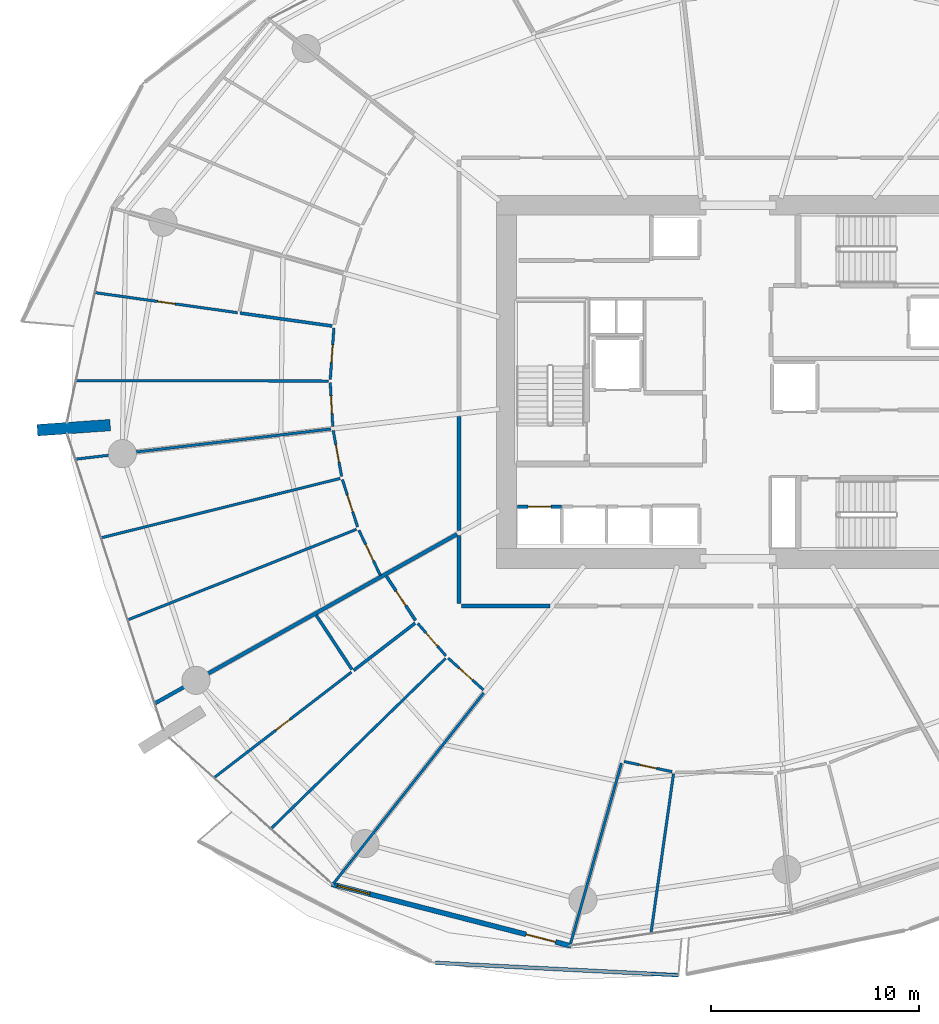
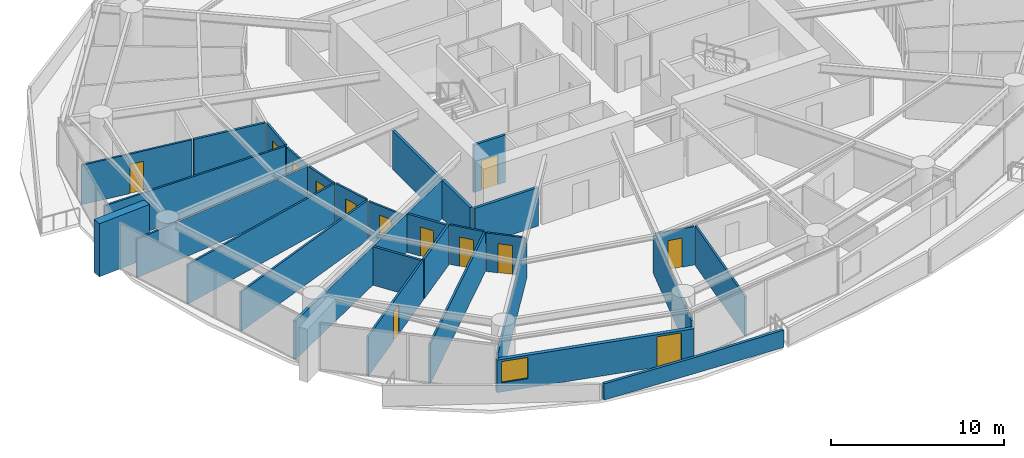
# One storey, part 19 of 31: 30 walls, 13 doors, 1 window, 14 openings.
"""IFC4 building model written with IfcOpenShell, lengths in metres."""

from ifc_helpers import new_model, si_unit, direction, frame, frame_2d, origin, place, context, subcontext, project, spatial, polyline, rectangle, outline, extrude, material, layer, layer_set, type_object, element, fill, save


model = new_model("IFC4")

# Units and contexts
model_context = context("Model", 3, precision=1e-05, world=origin(), true_north=direction((0.0, 1.0)))
body_context = subcontext(model_context, "Body", "Model", "MODEL_VIEW")
ifc_project = project(units=[si_unit("LENGTHUNIT", "METRE"), si_unit("AREAUNIT", "SQUARE_METRE"), si_unit("VOLUMEUNIT", "CUBIC_METRE"), si_unit("PLANEANGLEUNIT", "RADIAN"), si_unit("MASSUNIT", "GRAM", prefix="KILO")], contexts=[model_context])

# Site, building, storey
site_placement = place(None, origin())
site = spatial("IfcSite", under=ifc_project, at=site_placement, CompositionType="ELEMENT")
building_placement = place(site_placement, origin())
building = spatial("IfcBuilding", under=site, at=building_placement, Name="Kazma Halo Residences", CompositionType="ELEMENT")
storey_placement = place(building_placement, frame((0.0, 0.0, 67.64990234375)))
storey = spatial("IfcBuildingStorey", under=building, at=storey_placement, Name="L16", CompositionType="ELEMENT", Elevation=67.64990234375)

# Walls
ifc_material_1 = material(Name="White Concrete C50/60 Balustrade", Category="concrete")
ifc_layer_1 = layer(ifc_material_1, 0.179931640625)
ifc_layer_set_1 = layer_set([ifc_layer_1], Name="White Concrete C50/60 Balustrade")
wall_type_1 = type_object("IfcWallType", Name="WL-BAL-WAVE-180", PredefinedType="PARAPET", material=ifc_layer_set_1)
wall_1_placement = place(storey_placement, frame((33.923583984375, 14.132568359375, 0.0), z_axis=(0.0, 0.0, 1.0), x_axis=(0.998712715241, -0.050723884084, 0.0)))
element("IfcWall", 1, at=wall_1_placement, inside=storey, type_object=wall_type_1, Name="L16 white wave balustrade wall SW.2", PredefinedType="PARAPET", context=body_context, shape_type="SweptSolid", body=[
    extrude(outline(polyline([(0.0, 0.0), (11.6767578125, 0.0), (11.676513671875, 1.22412109375), (5.83837890625, 1.127197265625), (0.0, 1.148193359375), (0.0, 0.0)])), frame((0.0, 0.08984375, 0.0), z_axis=(0.0, -1.0, 0.0), x_axis=(1.0, 0.0, 0.0)), (0.0, 0.0, 1.0), 0.179931640625),
])
ifc_material_2 = material(Name="Pale Concrete C60/75", Category="concrete")
ifc_layer_2 = layer(ifc_material_2, 0.550048828125)
ifc_layer_set_2 = layer_set([ifc_layer_2], Name="Pale Concrete C60/75")
wall_type_2 = type_object("IfcWallType", Name="WL-BLADE-550", PredefinedType="SOLIDWALL", material=ifc_layer_set_2)
wall_2_placement = place(storey_placement, frame((18.322021484375, 39.9248046875, 0.0), z_axis=(0.0, 0.0, 1.0), x_axis=(-0.997564163539, -0.069754853754, 0.0)))
element("IfcWall", 2, at=wall_2_placement, inside=storey, type_object=wall_type_2, Name="L16 pale concrete structural blade fin wall BW-02", PredefinedType="SOLIDWALL", context=body_context, shape_type="SweptSolid", body=[
    extrude(rectangle(XDim=3.5, YDim=0.550048828125, at=frame_2d((1.75, 0.0))), origin(), (0.0, 0.0, 1.0), 3.75),
])
ifc_material_3 = material(Name="Acoustic Twin-Stud Gypsum")
ifc_layer_3 = layer(ifc_material_3, 0.179931640625)
ifc_layer_set_3 = layer_set([ifc_layer_3], Name="Acoustic Twin-Stud Gypsum")
wall_type_3 = type_object("IfcWallType", Name="WL-DEM-180", PredefinedType="PARTITIONING", material=ifc_layer_set_3)
wall_3_placement = place(storey_placement, frame((34.9541015625, 34.694091796875, 0.0), z_axis=(0.0, 0.0, 1.0), x_axis=(-0.872493465611, -0.488625779577, 0.0)))
element("IfcWall", 3, at=wall_3_placement, inside=storey, type_object=wall_type_3, Name="L16 apartment demising radial wall 08", PredefinedType="PARTITIONING", context=body_context, shape_type="SweptSolid", body=[
    extrude(rectangle(XDim=16.586181640625, YDim=0.179931640625, at=frame_2d((8.29296875, 0.0))), origin(), (0.0, 0.0, 1.0), 2.717041015625),
])
wall_4_placement = place(storey_placement, frame((35.050048828125, 40.347412109375, 0.0), z_axis=(0.0, 0.0, 1.0), x_axis=(0.0, -1.0, 0.0)))
element("IfcWall", 4, at=wall_4_placement, inside=storey, type_object=wall_type_3, Name="L16 Apartment 1 inner wall 7", PredefinedType="PARTITIONING", context=body_context, shape_type="SweptSolid", body=[
    extrude(rectangle(XDim=5.479736328125, YDim=0.179931640625, at=frame_2d((2.73974609375, 0.0))), origin(), (0.0, 0.0, 1.0), 2.717041015625),
])
wall_5_placement = place(storey_placement, frame((35.050048828125, 34.627685546875, 0.0), z_axis=(0.0, 0.0, 1.0), x_axis=(0.0, -1.0, 0.0)))
element("IfcWall", 5, at=wall_5_placement, inside=storey, type_object=wall_type_3, Name="L16 Apartment 2 inner wall 8", PredefinedType="PARTITIONING", context=body_context, shape_type="SweptSolid", body=[
    extrude(rectangle(XDim=3.257568359375, YDim=0.179931640625, at=frame_2d((1.62890625, 0.0))), origin(), (0.0, 0.0, 1.0), 2.717041015625),
])
wall_6_placement = place(storey_placement, frame((35.169921875, 31.25, 0.0), z_axis=(0.0, 0.0, 1.0), x_axis=(1.0, 0.0, 0.0)))
element("IfcWall", 6, at=wall_6_placement, inside=storey, type_object=wall_type_3, Name="L16 Apartment 2 inner wall 8", PredefinedType="PARTITIONING", context=body_context, shape_type="SweptSolid", body=[
    extrude(rectangle(XDim=4.235595703125, YDim=0.179931640625, at=frame_2d((2.11767578125, 0.0))), origin(), (0.0, 0.0, 1.0), 2.717041015625),
])

# Wall, openings, door, window
ifc_material_4 = material(Name="Insulated Pale-Metal Composite Wall")
ifc_layer_4 = layer(ifc_material_4, 0.239990234375)
ifc_layer_set_4 = layer_set([ifc_layer_4], Name="Insulated Pale-Metal Composite Wall")
wall_type_4 = type_object("IfcWallType", Name="WL-EXT-HOST-240", PredefinedType="SOLIDWALL", material=ifc_layer_set_4)
wall_7_placement = place(storey_placement, frame((28.94580078125, 17.90380859375, 0.0), z_axis=(0.0, 0.0, 1.0), x_axis=(0.96833871487, -0.249640007378, 0.0)))
wall_7 = element("IfcWall", 7, at=wall_7_placement, inside=storey, type_object=wall_type_4, Name="L16 exterior terrace-access wall B10", PredefinedType="SOLIDWALL", context=body_context, shape_type="SweptSolid", body=[
    extrude(rectangle(XDim=11.85107421875, YDim=0.239990234375, at=frame_2d((5.925537109375, 0.0))), origin(), (0.0, 0.0, 1.0), 2.300048828125),
])
opening_1_placement = place(wall_7_placement, frame((9.631103515625, 0.0, 0.0)))
opening_1 = element("IfcOpeningElement", 8, at=opening_1_placement, cuts=wall_7, Name="Opening DTR-1600", PredefinedType="OPENING", context=body_context, shape_type="SweptSolid", body=[
    extrude(rectangle(XDim=1.449951171875, YDim=2.14990234375, at=frame_2d((0.72509765625, 1.074951171875))), frame((0.0, 0.1298828125, 0.0), z_axis=(0.0, -1.0, 0.0), x_axis=(1.0, 0.0, 0.0)), (0.0, 0.0, 1.0), 0.260009765625),
])
opening_2_placement = place(wall_7_placement, frame((0.280029296875, 0.0, 0.64990234375)))
opening_2 = element("IfcOpeningElement", 9, at=opening_2_placement, cuts=wall_7, Name="Opening W-1800", PredefinedType="OPENING", context=body_context, shape_type="SweptSolid", body=[
    extrude(rectangle(XDim=1.60009765625, YDim=1.5, at=frame_2d((0.800048828125, 0.75))), frame((0.0, 0.1298828125, 0.0), z_axis=(0.0, -1.0, 0.0), x_axis=(1.0, 0.0, 0.0)), (0.0, 0.0, 1.0), 0.260009765625),
])
ifc_material_5 = material(Name="Aluminium AW-6063 T6 Double-Glazed Terrace Door", Category="aluminium")
door_type_1 = type_object("IfcDoorType", Name="DR-EXT-TERR-1600", OperationType="NOTDEFINED", PredefinedType="DOOR", material=ifc_material_5)
door_1_placement = place(opening_1_placement, origin())
door_1 = element("IfcDoor", 10, at=door_1_placement, inside=storey, type_object=door_type_1, Name="L16 B10 balcony terrace door", OperationType="DOUBLE_DOOR_SLIDING", OverallHeight=2.14990234375, OverallWidth=1.449951171875, PredefinedType="DOOR", context=body_context, shape_type="SweptSolid", body=[
    extrude(rectangle(XDim=1.449951171875, YDim=2.14990234375, at=frame_2d((0.72509765625, 1.074951171875))), frame((0.0, 0.02490234375, 0.0), z_axis=(0.0, -1.0, 0.0), x_axis=(1.0, 0.0, 0.0)), (0.0, 0.0, 1.0), 0.050048828125),
])
fill(opening_1, door_1)
ifc_material_6 = material(Name="Clear Triple-Silver Low-E Glass in Aluminium AW-6063 T6 Frame", Category="aluminium")
window_type = type_object("IfcWindowType", Name="WIN-RES-1800", PartitioningType="DOUBLE_PANEL_VERTICAL", PredefinedType="WINDOW", material=ifc_material_6)
window_placement = place(opening_2_placement, origin())
window = element("IfcWindow", 11, at=window_placement, inside=storey, type_object=window_type, Name="L16 B10 apartment window", OverallHeight=1.5, OverallWidth=1.60009765625, PartitioningType="SINGLE_PANEL", PredefinedType="WINDOW", context=body_context, shape_type="SweptSolid", body=[
    extrude(rectangle(XDim=1.60009765625, YDim=1.5, at=frame_2d((0.800048828125, 0.75))), frame((0.0, 0.030029296875, 0.0), z_axis=(0.0, -1.0, 0.0), x_axis=(1.0, 0.0, 0.0)), (0.0, 0.0, 1.0), 0.06005859375),
])
fill(opening_2, window)

# Wall, opening, door
ifc_material_7 = material(Name="Fire-Rated Blockwork Masonry", Category="masonry")
ifc_layer_5 = layer(ifc_material_7, 0.199951171875)
ifc_layer_set_5 = layer_set([ifc_layer_5], Name="Fire-Rated Blockwork Masonry")
wall_type_5 = type_object("IfcWallType", Name="WL-FLB-200", PredefinedType="PARTITIONING", material=ifc_layer_set_5)
wall_8_placement = place(storey_placement, frame((37.864990234375, 36.0048828125, 0.0), z_axis=(0.0, 0.0, 1.0), x_axis=(1.0, 0.0, 0.0)))
wall_8 = element("IfcWall", 12, at=wall_8_placement, inside=storey, type_object=wall_type_5, Name="L16 lift shaft PL-01 front wall", PredefinedType="PARTITIONING", context=body_context, shape_type="SweptSolid", body=[
    extrude(rectangle(XDim=2.110107421875, YDim=0.159912109375, at=frame_2d((1.05517578125, 0.0))), origin(), (0.0, 0.0, 1.0), 3.35009765625),
])
opening_3_placement = place(wall_8_placement, frame((0.5048828125, 0.0, 0.0)))
opening_3 = element("IfcOpeningElement", 13, at=opening_3_placement, cuts=wall_8, Name="Opening LD-PL-01", PredefinedType="OPENING", context=body_context, shape_type="SweptSolid", body=[
    extrude(rectangle(XDim=1.10009765625, YDim=2.10009765625, at=frame_2d((0.550048828125, 1.050048828125))), frame((0.0, 0.08984375, 0.0), z_axis=(0.0, -1.0, 0.0), x_axis=(1.0, 0.0, 0.0)), (0.0, 0.0, 1.0), 0.179931640625),
])
ifc_material_8 = material(Name="Stainless Steel Fire-Rated", Category="steel")
door_type_2 = type_object("IfcDoorType", Name="DR-LIFT-SLD-1100", OperationType="DOUBLE_DOOR_SLIDING", PredefinedType="DOOR", material=ifc_material_8)
door_2_placement = place(opening_3_placement, origin())
door_2 = element("IfcDoor", 14, at=door_2_placement, inside=storey, type_object=door_type_2, Name="L16 lift PL-01 sliding landing door", OperationType="DOUBLE_DOOR_SLIDING", OverallHeight=2.10009765625, OverallWidth=1.10009765625, PredefinedType="DOOR", context=body_context, shape_type="SweptSolid", body=[
    extrude(rectangle(XDim=1.10009765625, YDim=2.10009765625, at=frame_2d((0.550048828125, 1.050048828125))), frame((0.0, 0.02490234375, 0.0), z_axis=(0.0, -1.0, 0.0), x_axis=(1.0, 0.0, 0.0)), (0.0, 0.0, 1.0), 0.050048828125),
])
fill(opening_3, door_2)

ifc_material_9 = material(Name="Gypsum Plasterboard Partition")
ifc_layer_6 = layer(ifc_material_9, 0.125)
ifc_layer_set_6 = layer_set([ifc_layer_6], Name="Gypsum Plasterboard Partition")
wall_type_6 = type_object("IfcWallType", Name="WL-PART-125", PredefinedType="PARTITIONING", material=ifc_layer_set_6)
wall_9_placement = place(storey_placement, frame((24.42236328125, 45.31787109375, 0.0), z_axis=(0.0, 0.0, 1.0), x_axis=(-0.990243959665, 0.139344538274, 0.0)))
wall_9 = element("IfcWall", 15, at=wall_9_placement, inside=storey, type_object=wall_type_6, Name="L16 Apartment 1 Inner Walk-In Wardrobe partition wall", PredefinedType="PARTITIONING", context=body_context, shape_type="SweptSolid", body=[
    extrude(rectangle(XDim=6.88037109375, YDim=0.125, at=frame_2d((3.440185546875, 0.0))), origin(), (0.0, 0.0, 1.0), 2.7900390625),
])
opening_4_placement = place(wall_9_placement, frame((3.01513671875, 0.0, 0.0)))
opening_4 = element("IfcOpeningElement", 16, at=opening_4_placement, cuts=wall_9, Name="Opening DB-900", PredefinedType="OPENING", context=body_context, shape_type="SweptSolid", body=[
    extrude(rectangle(XDim=0.85009765625, YDim=2.06005859375, at=frame_2d((0.425048828125, 1.030029296875))), frame((0.0, 0.072509765625, 0.0), z_axis=(0.0, -1.0, 0.0), x_axis=(1.0, 0.0, 0.0)), (0.0, 0.0, 1.0), 0.14501953125),
])
ifc_material_10 = material(Name="Moisture-Sealed Timber Leaf", Category="wood")
door_type_3 = type_object("IfcDoorType", Name="DR-BTH-900", OperationType="NOTDEFINED", PredefinedType="DOOR", material=ifc_material_10)
door_3_placement = place(opening_4_placement, origin())
door_3 = element("IfcDoor", 17, at=door_3_placement, inside=storey, type_object=door_type_3, Name="L16 Apartment 1 Inner Walk-In Wardrobe door", OperationType="SINGLE_SWING_RIGHT", OverallHeight=2.06005859375, OverallWidth=0.85009765625, PredefinedType="DOOR", context=body_context, shape_type="SweptSolid", body=[
    extrude(rectangle(XDim=0.85009765625, YDim=2.06005859375, at=frame_2d((0.425048828125, 1.030029296875))), frame((0.0, 0.02490234375, 0.0), z_axis=(0.0, -1.0, 0.0), x_axis=(1.0, 0.0, 0.0)), (0.0, 0.0, 1.0), 0.050048828125),
])
fill(opening_4, door_3)

# Wall
wall_10_placement = place(storey_placement, frame((28.780029296875, 42.0380859375, 0.0), z_axis=(0.0, 0.0, 1.0), x_axis=(-0.999998036955, 0.001981435282, 0.0)))
element("IfcWall", 18, at=wall_10_placement, inside=storey, type_object=wall_type_6, Name="L16 Apartment 1 suite divider 6", PredefinedType="PARTITIONING", context=body_context, shape_type="SweptSolid", body=[
    extrude(rectangle(XDim=12.074951171875, YDim=0.125, at=frame_2d((6.03759765625, 0.0))), origin(), (0.0, 0.0, 1.0), 2.7900390625),
])

# Wall, opening, door
wall_11_placement = place(storey_placement, frame((29.05029296875, 44.575927734375, 0.0), z_axis=(0.0, 0.0, 1.0), x_axis=(-0.070831673661, -0.997488282641, 0.0)))
wall_11 = element("IfcWall", 19, at=wall_11_placement, inside=storey, type_object=wall_type_6, Name="L16 Apartment 1 Outer Formal Dining Room hall wall", PredefinedType="PARTITIONING", context=body_context, shape_type="SweptSolid", body=[
    extrude(rectangle(XDim=2.46435546875, YDim=0.125, at=frame_2d((1.232177734375, 0.0))), origin(), (0.0, 0.0, 1.0), 2.7900390625),
])
opening_5_placement = place(wall_11_placement, frame((0.80712890625, 0.0, 0.0)))
opening_5 = element("IfcOpeningElement", 20, at=opening_5_placement, cuts=wall_11, Name="Opening DB-900", PredefinedType="OPENING", context=body_context, shape_type="SweptSolid", body=[
    extrude(rectangle(XDim=0.85009765625, YDim=2.06005859375, at=frame_2d((0.425048828125, 1.030029296875))), frame((0.0, 0.072509765625, 0.0), z_axis=(0.0, -1.0, 0.0), x_axis=(1.0, 0.0, 0.0)), (0.0, 0.0, 1.0), 0.14501953125),
])
door_4_placement = place(opening_5_placement, origin())
door_4 = element("IfcDoor", 21, at=door_4_placement, inside=storey, type_object=door_type_3, Name="L16 Apartment 1 Outer Formal Dining Room door", OperationType="SINGLE_SWING_LEFT", OverallHeight=2.06005859375, OverallWidth=0.85009765625, PredefinedType="DOOR", context=body_context, shape_type="SweptSolid", body=[
    extrude(rectangle(XDim=0.85009765625, YDim=2.06005859375, at=frame_2d((0.425048828125, 1.030029296875))), frame((0.0, 0.02490234375, 0.0), z_axis=(0.0, -1.0, 0.0), x_axis=(1.0, 0.0, 0.0)), (0.0, 0.0, 1.0), 0.050048828125),
])
fill(opening_5, door_4)

wall_12_placement = place(storey_placement, frame((28.87451171875, 41.9580078125, 0.0), z_axis=(0.0, 0.0, 1.0), x_axis=(0.057962417622, -0.998318765797, 0.0)))
wall_12 = element("IfcWall", 22, at=wall_12_placement, inside=storey, type_object=wall_type_6, Name="L16 Apartment 1 Corner Master Bedroom hall wall", PredefinedType="PARTITIONING", context=body_context, shape_type="SweptSolid", body=[
    extrude(rectangle(XDim=2.1103515625, YDim=0.125, at=frame_2d((1.05517578125, 0.0))), origin(), (0.0, 0.0, 1.0), 2.717041015625),
])
opening_6_placement = place(wall_12_placement, frame((0.630126953125, 0.0, 0.0)))
opening_6 = element("IfcOpeningElement", 23, at=opening_6_placement, cuts=wall_12, Name="Opening DB-900", PredefinedType="OPENING", context=body_context, shape_type="SweptSolid", body=[
    extrude(rectangle(XDim=0.85009765625, YDim=2.06005859375, at=frame_2d((0.425048828125, 1.030029296875))), frame((0.0, 0.072509765625, 0.0), z_axis=(0.0, -1.0, 0.0), x_axis=(1.0, 0.0, 0.0)), (0.0, 0.0, 1.0), 0.14501953125),
])
door_5_placement = place(opening_6_placement, origin())
door_5 = element("IfcDoor", 24, at=door_5_placement, inside=storey, type_object=door_type_3, Name="L16 Apartment 1 Corner Master Bedroom door", OperationType="SINGLE_SWING_RIGHT", OverallHeight=2.06005859375, OverallWidth=0.85009765625, PredefinedType="DOOR", context=body_context, shape_type="SweptSolid", body=[
    extrude(rectangle(XDim=0.85009765625, YDim=2.06005859375, at=frame_2d((0.425048828125, 1.030029296875))), frame((0.0, 0.02490234375, 0.0), z_axis=(0.0, -1.0, 0.0), x_axis=(1.0, 0.0, 0.0)), (0.0, 0.0, 1.0), 0.050048828125),
])
fill(opening_6, door_5)

# Walls
wall_13_placement = place(storey_placement, frame((28.9033203125, 39.73974609375, 0.0), z_axis=(0.0, 0.0, 1.0), x_axis=(-0.993068040113, -0.117540919282, 0.0)))
element("IfcWall", 25, at=wall_13_placement, inside=storey, type_object=wall_type_6, Name="L16 Apartment 1 radial partition 7", PredefinedType="PARTITIONING", context=body_context, shape_type="SweptSolid", body=[
    extrude(rectangle(XDim=12.30859375, YDim=0.125, at=frame_2d((6.154296875, 0.0))), origin(), (0.0, 0.0, 1.0), 2.717041015625),
])
wall_14_placement = place(storey_placement, frame((29.346923828125, 37.366455078125, 0.0), z_axis=(0.0, 0.0, 1.0), x_axis=(-0.970510462135, -0.241059002917, 0.0)))
element("IfcWall", 26, at=wall_14_placement, inside=storey, type_object=wall_type_6, Name="L16 Apartment 1 bay wall 1 7", PredefinedType="PARTITIONING", context=body_context, shape_type="SweptSolid", body=[
    extrude(rectangle(XDim=11.789794921875, YDim=0.125, at=frame_2d((5.89501953125, 0.0))), origin(), (0.0, 0.0, 1.0), 2.7900390625),
])
wall_15_placement = place(storey_placement, frame((30.129638671875, 34.9248046875, 0.0), z_axis=(0.0, 0.0, 1.0), x_axis=(-0.929770978957, -0.368138461302, 0.0)))
element("IfcWall", 27, at=wall_15_placement, inside=storey, type_object=wall_type_6, Name="L16 Apartment 1 bay wall 2 7", PredefinedType="PARTITIONING", context=body_context, shape_type="SweptSolid", body=[
    extrude(rectangle(XDim=11.7734375, YDim=0.125, at=frame_2d((5.88671875, 0.0))), origin(), (0.0, 0.0, 1.0), 2.7900390625),
])

# Wall, opening, door
wall_16_placement = place(storey_placement, frame((29.01708984375, 39.6728515625, 0.0), z_axis=(0.0, 0.0, 1.0), x_axis=(0.179632658462, -0.983733758704, 0.0)))
wall_16 = element("IfcWall", 28, at=wall_16_placement, inside=storey, type_object=wall_type_6, Name="L16 Apartment 1 Garden Master Bedroom hall wall", PredefinedType="PARTITIONING", context=body_context, shape_type="SweptSolid", body=[
    extrude(rectangle(XDim=2.242431640625, YDim=0.125, at=frame_2d((1.12109375, 0.0))), origin(), (0.0, 0.0, 1.0), 2.717041015625),
])
opening_7_placement = place(wall_16_placement, frame((0.6962890625, 0.0, 0.0)))
opening_7 = element("IfcOpeningElement", 29, at=opening_7_placement, cuts=wall_16, Name="Opening DB-900", PredefinedType="OPENING", context=body_context, shape_type="SweptSolid", body=[
    extrude(rectangle(XDim=0.85009765625, YDim=2.06005859375, at=frame_2d((0.425048828125, 1.030029296875))), frame((0.0, 0.072509765625, 0.0), z_axis=(0.0, -1.0, 0.0), x_axis=(1.0, 0.0, 0.0)), (0.0, 0.0, 1.0), 0.14501953125),
])
door_6_placement = place(opening_7_placement, origin())
door_6 = element("IfcDoor", 30, at=door_6_placement, inside=storey, type_object=door_type_3, Name="L16 Apartment 1 Garden Master Bedroom door", OperationType="SINGLE_SWING_LEFT", OverallHeight=2.06005859375, OverallWidth=0.85009765625, PredefinedType="DOOR", context=body_context, shape_type="SweptSolid", body=[
    extrude(rectangle(XDim=0.85009765625, YDim=2.06005859375, at=frame_2d((0.425048828125, 1.030029296875))), frame((0.0, 0.02490234375, 0.0), z_axis=(0.0, -1.0, 0.0), x_axis=(1.0, 0.0, 0.0)), (0.0, 0.0, 1.0), 0.050048828125),
])
fill(opening_7, door_6)

wall_17_placement = place(storey_placement, frame((29.45849609375, 37.31201171875, 0.0), z_axis=(0.0, 0.0, 1.0), x_axis=(0.305338513131, -0.952243872335, 0.0)))
wall_17 = element("IfcWall", 31, at=wall_17_placement, inside=storey, type_object=wall_type_6, Name="L16 Apartment 1 Sky Dressing Wardrobe hall wall", PredefinedType="PARTITIONING", context=body_context, shape_type="SweptSolid", body=[
    extrude(rectangle(XDim=2.392333984375, YDim=0.125, at=frame_2d((1.1962890625, 0.0))), origin(), (0.0, 0.0, 1.0), 2.7900390625),
])
opening_8_placement = place(wall_17_placement, frame((0.77099609375, 0.0, 0.0)))
opening_8 = element("IfcOpeningElement", 32, at=opening_8_placement, cuts=wall_17, Name="Opening DB-900", PredefinedType="OPENING", context=body_context, shape_type="SweptSolid", body=[
    extrude(rectangle(XDim=0.85009765625, YDim=2.06005859375, at=frame_2d((0.425048828125, 1.030029296875))), frame((0.0, 0.072509765625, 0.0), z_axis=(0.0, -1.0, 0.0), x_axis=(1.0, 0.0, 0.0)), (0.0, 0.0, 1.0), 0.14501953125),
])
door_7_placement = place(opening_8_placement, origin())
door_7 = element("IfcDoor", 33, at=door_7_placement, inside=storey, type_object=door_type_3, Name="L16 Apartment 1 Sky Dressing Wardrobe door", OperationType="SINGLE_SWING_RIGHT", OverallHeight=2.06005859375, OverallWidth=0.85009765625, PredefinedType="DOOR", context=body_context, shape_type="SweptSolid", body=[
    extrude(rectangle(XDim=0.85009765625, YDim=2.06005859375, at=frame_2d((0.425048828125, 1.030029296875))), frame((0.0, 0.02490234375, 0.0), z_axis=(0.0, -1.0, 0.0), x_axis=(1.0, 0.0, 0.0)), (0.0, 0.0, 1.0), 0.050048828125),
])
fill(opening_8, door_7)

wall_18_placement = place(storey_placement, frame((30.247802734375, 34.885498046875, 0.0), z_axis=(0.0, 0.0, 1.0), x_axis=(0.429366977128, -0.903130111862, 0.0)))
wall_18 = element("IfcWall", 34, at=wall_18_placement, inside=storey, type_object=wall_type_6, Name="L16 Apartment 1 Gulf Master Bedroom hall wall", PredefinedType="PARTITIONING", context=body_context, shape_type="SweptSolid", body=[
    extrude(rectangle(XDim=2.39208984375, YDim=0.125, at=frame_2d((1.196044921875, 0.0))), origin(), (0.0, 0.0, 1.0), 2.717041015625),
])
opening_9_placement = place(wall_18_placement, frame((0.77099609375, 0.0, 0.0)))
opening_9 = element("IfcOpeningElement", 35, at=opening_9_placement, cuts=wall_18, Name="Opening DB-900", PredefinedType="OPENING", context=body_context, shape_type="SweptSolid", body=[
    extrude(rectangle(XDim=0.85009765625, YDim=2.06005859375, at=frame_2d((0.425048828125, 1.030029296875))), frame((0.0, 0.072509765625, 0.0), z_axis=(0.0, -1.0, 0.0), x_axis=(1.0, 0.0, 0.0)), (0.0, 0.0, 1.0), 0.14501953125),
])
door_8_placement = place(opening_9_placement, origin())
door_8 = element("IfcDoor", 36, at=door_8_placement, inside=storey, type_object=door_type_3, Name="L16 Apartment 1 Gulf Master Bedroom door", OperationType="SINGLE_SWING_LEFT", OverallHeight=2.06005859375, OverallWidth=0.85009765625, PredefinedType="DOOR", context=body_context, shape_type="SweptSolid", body=[
    extrude(rectangle(XDim=0.85009765625, YDim=2.06005859375, at=frame_2d((0.425048828125, 1.030029296875))), frame((0.0, 0.02490234375, 0.0), z_axis=(0.0, -1.0, 0.0), x_axis=(1.0, 0.0, 0.0)), (0.0, 0.0, 1.0), 0.050048828125),
])
fill(opening_9, door_8)

# Wall
wall_19_placement = place(storey_placement, frame((36.2373046875, 27.0791015625, 0.0), z_axis=(0.0, 0.0, 1.0), x_axis=(-0.619088814595, -0.785320978736, 0.0)))
element("IfcWall", 37, at=wall_19_placement, inside=storey, type_object=wall_type_6, Name="L16 Apartment 2 living radial partition 8", PredefinedType="PARTITIONING", context=body_context, shape_type="SweptSolid", body=[
    extrude(rectangle(XDim=11.674560546875, YDim=0.125, at=frame_2d((5.83740234375, 0.0))), origin(), (0.0, 0.0, 1.0), 2.717041015625),
])

# Wall, opening, door
wall_20_placement = place(storey_placement, frame((29.892578125, 28.0791015625, 0.0), z_axis=(0.0, 0.0, 1.0), x_axis=(-0.792808777476, -0.60947046061, 0.0)))
wall_20 = element("IfcWall", 38, at=wall_20_placement, inside=storey, type_object=wall_type_6, Name="L16 Apartment 2 Utility Laundry Room partition wall", PredefinedType="PARTITIONING", context=body_context, shape_type="SweptSolid", body=[
    extrude(rectangle(XDim=8.298828125, YDim=0.125, at=frame_2d((4.1494140625, 0.0))), origin(), (0.0, 0.0, 1.0), 2.7900390625),
])
opening_10_placement = place(wall_20_placement, frame((3.724365234375, 0.0, 0.0)))
opening_10 = element("IfcOpeningElement", 39, at=opening_10_placement, cuts=wall_20, Name="Opening DB-900", PredefinedType="OPENING", context=body_context, shape_type="SweptSolid", body=[
    extrude(rectangle(XDim=0.85009765625, YDim=2.06005859375, at=frame_2d((0.425048828125, 1.030029296875))), frame((0.0, 0.072509765625, 0.0), z_axis=(0.0, -1.0, 0.0), x_axis=(1.0, 0.0, 0.0)), (0.0, 0.0, 1.0), 0.14501953125),
])
door_9_placement = place(opening_10_placement, origin())
door_9 = element("IfcDoor", 40, at=door_9_placement, inside=storey, type_object=door_type_3, Name="L16 Apartment 2 Utility Laundry Room door", OperationType="SINGLE_SWING_RIGHT", OverallHeight=2.06005859375, OverallWidth=0.85009765625, PredefinedType="DOOR", context=body_context, shape_type="SweptSolid", body=[
    extrude(rectangle(XDim=0.85009765625, YDim=2.06005859375, at=frame_2d((0.425048828125, 1.030029296875))), frame((0.0, 0.02490234375, 0.0), z_axis=(0.0, -1.0, 0.0), x_axis=(1.0, 0.0, 0.0)), (0.0, 0.0, 1.0), 0.050048828125),
])
fill(opening_10, door_9)

# Wall
wall_21_placement = place(storey_placement, frame((34.408203125, 28.73779296875, 0.0), z_axis=(0.0, 0.0, 1.0), x_axis=(-0.715751902764, -0.698354647504, 0.0)))
element("IfcWall", 41, at=wall_21_placement, inside=storey, type_object=wall_type_6, Name="L16 Apartment 2 suite divider 8", PredefinedType="PARTITIONING", context=body_context, shape_type="SweptSolid", body=[
    extrude(rectangle(XDim=11.689697265625, YDim=0.125, at=frame_2d((5.8447265625, 0.0))), origin(), (0.0, 0.0, 1.0), 2.7900390625),
])

# Wall, opening, door
wall_22_placement = place(storey_placement, frame((33.0751953125, 30.41259765625, 0.0), z_axis=(0.0, 0.0, 1.0), x_axis=(0.655021066846, -0.755610615322, 0.0)))
wall_22 = element("IfcWall", 42, at=wall_22_placement, inside=storey, type_object=wall_type_6, Name="L16 Apartment 2 Gourmet Kitchen hall wall", PredefinedType="PARTITIONING", context=body_context, shape_type="SweptSolid", body=[
    extrude(rectangle(XDim=2.05322265625, YDim=0.125, at=frame_2d((1.026611328125, 0.0))), origin(), (0.0, 0.0, 1.0), 2.7900390625),
])
opening_11_placement = place(wall_22_placement, frame((0.601806640625, 0.0, 0.0)))
opening_11 = element("IfcOpeningElement", 43, at=opening_11_placement, cuts=wall_22, Name="Opening DB-900", PredefinedType="OPENING", context=body_context, shape_type="SweptSolid", body=[
    extrude(rectangle(XDim=0.85009765625, YDim=2.06005859375, at=frame_2d((0.425048828125, 1.030029296875))), frame((0.0, 0.072509765625, 0.0), z_axis=(0.0, -1.0, 0.0), x_axis=(1.0, 0.0, 0.0)), (0.0, 0.0, 1.0), 0.14501953125),
])
door_10_placement = place(opening_11_placement, origin())
door_10 = element("IfcDoor", 44, at=door_10_placement, inside=storey, type_object=door_type_3, Name="L16 Apartment 2 Gourmet Kitchen door", OperationType="SINGLE_SWING_LEFT", OverallHeight=2.06005859375, OverallWidth=0.85009765625, PredefinedType="DOOR", context=body_context, shape_type="SweptSolid", body=[
    extrude(rectangle(XDim=0.85009765625, YDim=2.06005859375, at=frame_2d((0.425048828125, 1.030029296875))), frame((0.0, 0.02490234375, 0.0), z_axis=(0.0, -1.0, 0.0), x_axis=(1.0, 0.0, 0.0)), (0.0, 0.0, 1.0), 0.050048828125),
])
fill(opening_11, door_10)

wall_23_placement = place(storey_placement, frame((34.531982421875, 28.747314453125, 0.0), z_axis=(0.0, 0.0, 1.0), x_axis=(0.743432740472, -0.668810705951, 0.0)))
wall_23 = element("IfcWall", 45, at=wall_23_placement, inside=storey, type_object=wall_type_6, Name="L16 Apartment 2 Master Bedroom hall wall", PredefinedType="PARTITIONING", context=body_context, shape_type="SweptSolid", body=[
    extrude(rectangle(XDim=2.277099609375, YDim=0.125, at=frame_2d((1.138671875, 0.0))), origin(), (0.0, 0.0, 1.0), 2.717041015625),
])
opening_12_placement = place(wall_23_placement, frame((0.71337890625, 0.0, 0.0)))
opening_12 = element("IfcOpeningElement", 46, at=opening_12_placement, cuts=wall_23, Name="Opening DB-900", PredefinedType="OPENING", context=body_context, shape_type="SweptSolid", body=[
    extrude(rectangle(XDim=0.85009765625, YDim=2.06005859375, at=frame_2d((0.425048828125, 1.030029296875))), frame((0.0, 0.072509765625, 0.0), z_axis=(0.0, -1.0, 0.0), x_axis=(1.0, 0.0, 0.0)), (0.0, 0.0, 1.0), 0.14501953125),
])
door_11_placement = place(opening_12_placement, origin())
door_11 = element("IfcDoor", 47, at=door_11_placement, inside=storey, type_object=door_type_3, Name="L16 Apartment 2 Master Bedroom door", OperationType="SINGLE_SWING_RIGHT", OverallHeight=2.06005859375, OverallWidth=0.85009765625, PredefinedType="DOOR", context=body_context, shape_type="SweptSolid", body=[
    extrude(rectangle(XDim=0.85009765625, YDim=2.06005859375, at=frame_2d((0.425048828125, 1.030029296875))), frame((0.0, 0.02490234375, 0.0), z_axis=(0.0, -1.0, 0.0), x_axis=(1.0, 0.0, 0.0)), (0.0, 0.0, 1.0), 0.050048828125),
])
fill(opening_12, door_11)

# Walls
wall_24_placement = place(storey_placement, frame((42.8427734375, 23.71337890625, 0.0), z_axis=(0.0, 0.0, 1.0), x_axis=(-0.271456287213, -0.962450769719, 0.0)))
element("IfcWall", 48, at=wall_24_placement, inside=storey, type_object=wall_type_6, Name="L16 Apartment 2 radial partition 10", PredefinedType="PARTITIONING", context=body_context, shape_type="SweptSolid", body=[
    extrude(rectangle(XDim=8.97216796875, YDim=0.125, at=frame_2d((4.486083984375, 0.0))), origin(), (0.0, 0.0, 1.0), 2.717041015625),
])
wall_25_placement = place(storey_placement, frame((45.339111328125, 23.197509765625, 0.0), z_axis=(0.0, 0.0, 1.0), x_axis=(-0.140135186141, -0.990132379839, 0.0)))
element("IfcWall", 49, at=wall_25_placement, inside=storey, type_object=wall_type_6, Name="L16 Apartment 2 mid-bay wall 10", PredefinedType="PARTITIONING", context=body_context, shape_type="SweptSolid", body=[
    extrude(rectangle(XDim=7.70751953125, YDim=0.125, at=frame_2d((3.853759765625, 0.0))), origin(), (0.0, 0.0, 1.0), 2.7900390625),
])

# Wall, opening, door
wall_26_placement = place(storey_placement, frame((42.9677734375, 23.7890625, 0.0), z_axis=(0.0, 0.0, 1.0), x_axis=(0.978491482484, -0.206287223806, 0.0)))
wall_26 = element("IfcWall", 50, at=wall_26_placement, inside=storey, type_object=wall_type_6, Name="L16 Apartment 2 East Bedroom hall wall", PredefinedType="PARTITIONING", context=body_context, shape_type="SweptSolid", body=[
    extrude(rectangle(XDim=2.3564453125, YDim=0.125, at=frame_2d((1.17822265625, 0.0))), origin(), (0.0, 0.0, 1.0), 2.717041015625),
])
opening_13_placement = place(wall_26_placement, frame((0.753173828125, 0.0, 0.0)))
opening_13 = element("IfcOpeningElement", 51, at=opening_13_placement, cuts=wall_26, Name="Opening DB-900", PredefinedType="OPENING", context=body_context, shape_type="SweptSolid", body=[
    extrude(rectangle(XDim=0.85009765625, YDim=2.06005859375, at=frame_2d((0.425048828125, 1.030029296875))), frame((0.0, 0.072509765625, 0.0), z_axis=(0.0, -1.0, 0.0), x_axis=(1.0, 0.0, 0.0)), (0.0, 0.0, 1.0), 0.14501953125),
])
door_12_placement = place(opening_13_placement, origin())
door_12 = element("IfcDoor", 52, at=door_12_placement, inside=storey, type_object=door_type_3, Name="L16 Apartment 2 East Bedroom door", OperationType="SINGLE_SWING_LEFT", OverallHeight=2.06005859375, OverallWidth=0.85009765625, PredefinedType="DOOR", context=body_context, shape_type="SweptSolid", body=[
    extrude(rectangle(XDim=0.85009765625, YDim=2.06005859375, at=frame_2d((0.425048828125, 1.030029296875))), frame((0.0, 0.02490234375, 0.0), z_axis=(0.0, -1.0, 0.0), x_axis=(1.0, 0.0, 0.0)), (0.0, 0.0, 1.0), 0.050048828125),
])
fill(opening_13, door_12)

# Wall
ifc_material_11 = material(Name="Moisture-Resistant Gypsum")
ifc_layer_7 = layer(ifc_material_11, 0.14990234375)
ifc_layer_set_7 = layer_set([ifc_layer_7], Name="Moisture-Resistant Gypsum")
wall_type_7 = type_object("IfcWallType", Name="WL-WET-150", PredefinedType="PARTITIONING", material=ifc_layer_set_7)
wall_27_placement = place(storey_placement, frame((28.967529296875, 44.67822265625, 0.0), z_axis=(0.0, 0.0, 1.0), x_axis=(-0.990240767804, 0.139367219172, 0.0)))
element("IfcWall", 53, at=wall_27_placement, inside=storey, type_object=wall_type_7, Name="L16 Apartment 1 South En-Suite Bathroom side wall", PredefinedType="PARTITIONING", context=body_context, shape_type="SweptSolid", body=[
    extrude(rectangle(XDim=4.4599609375, YDim=0.14990234375, at=frame_2d((2.22998046875, 0.0))), origin(), (0.0, 0.0, 1.0), 2.7900390625),
])

# Wall, opening, door
wall_28_placement = place(storey_placement, frame((31.56494140625, 32.681640625, 0.0), z_axis=(0.0, 0.0, 1.0), x_axis=(0.550533618108, -0.834812994229, 0.0)))
wall_28 = element("IfcWall", 54, at=wall_28_placement, inside=storey, type_object=wall_type_7, Name="L16 Apartment 2 Guest Bathroom hall wall", PredefinedType="PARTITIONING", context=body_context, shape_type="SweptSolid", body=[
    extrude(rectangle(XDim=2.54638671875, YDim=0.14990234375, at=frame_2d((1.273193359375, 0.0))), origin(), (0.0, 0.0, 1.0), 2.717041015625),
])
opening_14_placement = place(wall_28_placement, frame((0.84814453125, 0.0, 0.0)))
opening_14 = element("IfcOpeningElement", 55, at=opening_14_placement, cuts=wall_28, Name="Opening DB-900", PredefinedType="OPENING", context=body_context, shape_type="SweptSolid", body=[
    extrude(rectangle(XDim=0.85009765625, YDim=2.06005859375, at=frame_2d((0.425048828125, 1.030029296875))), frame((0.0, 0.0849609375, 0.0), z_axis=(0.0, -1.0, 0.0), x_axis=(1.0, 0.0, 0.0)), (0.0, 0.0, 1.0), 0.169921875),
])
door_13_placement = place(opening_14_placement, origin())
door_13 = element("IfcDoor", 56, at=door_13_placement, inside=storey, type_object=door_type_3, Name="L16 Apartment 2 Guest Bathroom door", OperationType="SINGLE_SWING_LEFT", OverallHeight=2.06005859375, OverallWidth=0.85009765625, PredefinedType="DOOR", context=body_context, shape_type="SweptSolid", body=[
    extrude(rectangle(XDim=0.85009765625, YDim=2.06005859375, at=frame_2d((0.425048828125, 1.030029296875))), frame((0.0, 0.02490234375, 0.0), z_axis=(0.0, -1.0, 0.0), x_axis=(1.0, 0.0, 0.0)), (0.0, 0.0, 1.0), 0.050048828125),
])
fill(opening_14, door_13)

# Walls
wall_29_placement = place(storey_placement, frame((28.205810546875, 30.80029296875, 0.0), z_axis=(0.0, 0.0, 1.0), x_axis=(0.550481610401, -0.834847289395, 0.0)))
element("IfcWall", 57, at=wall_29_placement, inside=storey, type_object=wall_type_7, Name="L16 Apartment 2 Guest Bathroom back wall", PredefinedType="PARTITIONING", context=body_context, shape_type="SweptSolid", body=[
    extrude(rectangle(XDim=3.103759765625, YDim=0.14990234375, at=frame_2d((1.5517578125, 0.0))), origin(), (0.0, 0.0, 1.0), 2.717041015625),
])
wall_30_placement = place(storey_placement, frame((32.94482421875, 30.42578125, 0.0), z_axis=(0.0, 0.0, 1.0), x_axis=(-0.79279229966, -0.609491894614, 0.0)))
element("IfcWall", 58, at=wall_30_placement, inside=storey, type_object=wall_type_7, Name="L16 Apartment 2 Guest Bathroom side wall", PredefinedType="PARTITIONING", context=body_context, shape_type="SweptSolid", body=[
    extrude(rectangle(XDim=3.719970703125, YDim=0.14990234375, at=frame_2d((1.85986328125, 0.0))), origin(), (0.0, 0.0, 1.0), 2.7900390625),
])

save(model, "model.ifc")
